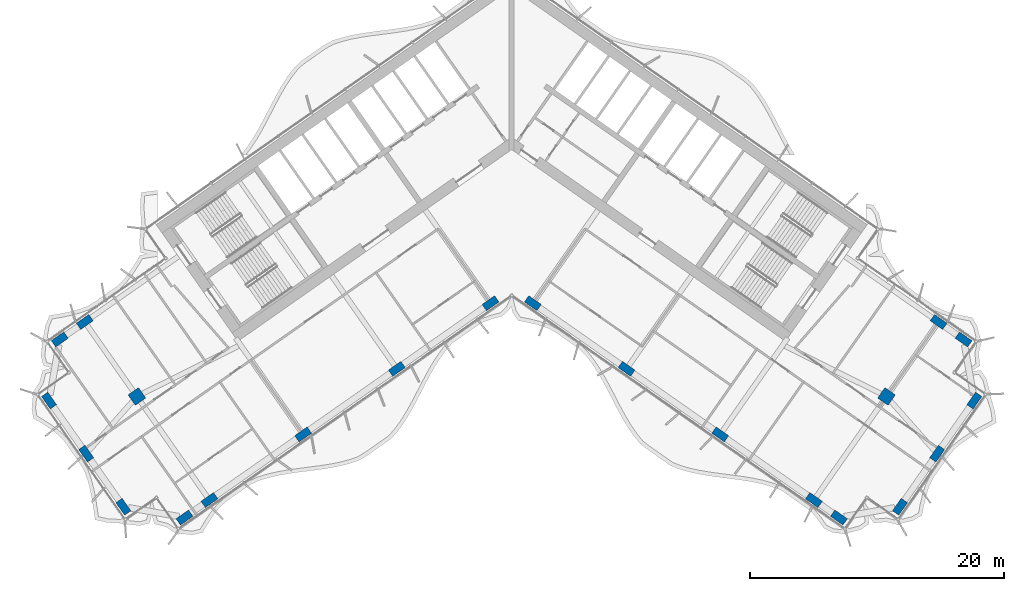
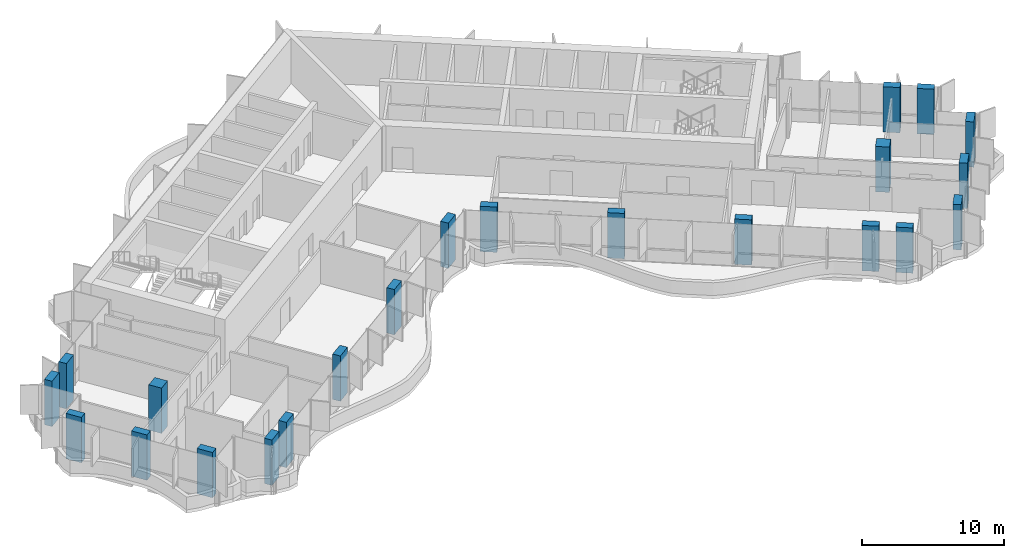
# One storey, part 1 of 23: 22 columns.
"""IFC4 building model written with IfcOpenShell, lengths in metres."""

from ifc_helpers import new_model, si_unit, direction, frame, origin, origin_2d, place, context, subcontext, project, spatial, rectangle, extrude, material, material_profile, profile_set, type_object, element, save


model = new_model("IFC4")

# Units and contexts
model_context = context("Model", 3, precision=1e-05, world=origin(), true_north=direction((0.0, 1.0)))
body_context = subcontext(model_context, "Body", "Model", "MODEL_VIEW")
ifc_project = project(units=[si_unit("LENGTHUNIT", "METRE"), si_unit("AREAUNIT", "SQUARE_METRE"), si_unit("VOLUMEUNIT", "CUBIC_METRE"), si_unit("PLANEANGLEUNIT", "RADIAN"), si_unit("MASSUNIT", "GRAM", prefix="KILO")], contexts=[model_context])

# Site, building, storey
site_placement = place(None, origin())
site = spatial("IfcSite", under=ifc_project, at=site_placement, CompositionType="ELEMENT")
building_placement = place(site_placement, origin())
building = spatial("IfcBuilding", under=site, at=building_placement, Name="Tel Ilan Convention Tower", CompositionType="ELEMENT")
storey_placement = place(building_placement, frame((0.0, 0.0, 174.89990234375)))
storey = spatial("IfcBuildingStorey", under=building, at=storey_placement, Name="L40", CompositionType="ELEMENT", Elevation=174.89990234375)

# Columns
ifc_material_1 = material(Name="Concrete C50/60", Category="concrete")
ifc_material_profile_1 = material_profile(ifc_material_1, rectangle(XDim=1.0, YDim=1.0, at=origin_2d()), Name="RC 1000x1000")
ifc_profile_set_1 = profile_set([ifc_material_profile_1], Name="Concrete C50/60")
column_type_1 = type_object("IfcColumnType", Name="Column RC 1000x1000 C50/60", PredefinedType="COLUMN", material=ifc_profile_set_1)
for number, where, z_axis, x_axis, name in (
    (1, (-29.489501953125, -20.648681640625, 0.0), (0.0, 0.0, 1.0), (-0.819152044289, -0.573576436351, 0.0), "L40 column W-M4"),
    (2, (29.489501953125, -20.648681640625, 0.0), (0.0, 0.0, 1.0), (0.819152044289, -0.573576436351, 0.0), "L40 column E-M4"),
):
    element("IfcColumn", number, at=place(storey_placement, frame(where, z_axis=z_axis, x_axis=x_axis)), inside=storey, type_object=column_type_1, Name=name, PredefinedType="COLUMN", context=body_context, shape_type="SweptSolid", body=[
        extrude(rectangle(XDim=1.0, YDim=1.0, at=origin_2d()), origin(), (0.0, 0.0, 1.0), 3.900146484375),
    ])
ifc_material_2 = material(Name="Concrete C50/60", Category="concrete")
ifc_material_profile_2 = material_profile(ifc_material_2, rectangle(XDim=1.199951171875, YDim=0.60009765625, at=origin_2d()), Name="RC 600x1200")
ifc_profile_set_2 = profile_set([ifc_material_profile_2], Name="Concrete C50/60")
column_type_2 = type_object("IfcColumnType", Name="Column RC 600x1200 C50/60", PredefinedType="COLUMN", material=ifc_profile_set_2)
for number, where, z_axis, x_axis, name in (
    (3, (-1.665283203125, -13.312744140625, 0.0), (0.0, 0.0, 1.0), (-0.819152044289, -0.573576436351, 0.0), "L40 column W-F1"),
    (4, (-9.03759765625, -18.474853515625, 0.0), (0.0, 0.0, 1.0), (-0.819152044289, -0.573576436351, 0.0), "L40 column W-F2"),
    (5, (-16.409912109375, -23.63720703125, 0.0), (0.0, 0.0, 1.0), (-0.819152044289, -0.573576436351, 0.0), "L40 column W-F3"),
    (6, (-23.782470703125, -28.79931640625, 0.0), (0.0, 0.0, 1.0), (-0.819152044289, -0.573576436351, 0.0), "L40 column W-F4"),
    (7, (-25.748291015625, -30.17578125, 0.0), (0.0, 0.0, 1.0), (-0.819152044289, -0.573576436351, 0.0), "L40 column W-FC"),
    (8, (-33.590576171875, -14.791748046875, 0.0), (0.0, 0.0, 1.0), (-0.819152044289, -0.573576436351, 0.0), "L40 column W-B4"),
    (9, (-35.556396484375, -16.16845703125, 0.0), (0.0, 0.0, 1.0), (-0.819152044289, -0.573576436351, 0.0), "L40 column W-BC"),
    (10, (-30.55322265625, -29.32861328125, 0.0), (0.0, 0.0, 1.0), (-0.573576436351, 0.819152044289, 0.0), "L40 column W-E1"),
    (11, (-33.478515625, -25.15087890625, 0.0), (0.0, 0.0, 1.0), (-0.573576436351, 0.819152044289, 0.0), "L40 column W-E2"),
    (12, (-36.40380859375, -20.973388671875, 0.0), (0.0, 0.0, 1.0), (-0.573576436351, 0.819152044289, 0.0), "L40 column W-E3"),
    (13, (1.665283203125, -13.312744140625, 0.0), (0.0, 0.0, 1.0), (0.819152044289, -0.573576436351, 0.0), "L40 column E-F1"),
    (14, (9.03759765625, -18.474853515625, 0.0), (0.0, 0.0, 1.0), (0.819152044289, -0.573576436351, 0.0), "L40 column E-F2"),
    (15, (16.409912109375, -23.63720703125, 0.0), (0.0, 0.0, 1.0), (0.819152044289, -0.573576436351, 0.0), "L40 column E-F3"),
    (16, (23.782470703125, -28.79931640625, 0.0), (0.0, 0.0, 1.0), (0.819152044289, -0.573576436351, 0.0), "L40 column E-F4"),
    (17, (25.748291015625, -30.17578125, 0.0), (0.0, 0.0, 1.0), (0.819152044289, -0.573576436351, 0.0), "L40 column E-FC"),
    (18, (33.590576171875, -14.791748046875, 0.0), (0.0, 0.0, 1.0), (0.819152044289, -0.573576436351, 0.0), "L40 column E-B4"),
    (19, (35.556396484375, -16.16845703125, 0.0), (0.0, 0.0, 1.0), (0.819152044289, -0.573576436351, 0.0), "L40 column E-BC"),
    (20, (30.55322265625, -29.32861328125, 0.0), (0.0, 0.0, 1.0), (0.573576436351, 0.819152044289, 0.0), "L40 column E-E1"),
    (21, (33.478515625, -25.15087890625, 0.0), (0.0, 0.0, 1.0), (0.573576436351, 0.819152044289, 0.0), "L40 column E-E2"),
    (22, (36.40380859375, -20.973388671875, 0.0), (0.0, 0.0, 1.0), (0.573576436351, 0.819152044289, 0.0), "L40 column E-E3"),
):
    element("IfcColumn", number, at=place(storey_placement, frame(where, z_axis=z_axis, x_axis=x_axis)), inside=storey, type_object=column_type_2, Name=name, PredefinedType="COLUMN", context=body_context, shape_type="SweptSolid", body=[
        extrude(rectangle(XDim=1.199951171875, YDim=0.60009765625, at=origin_2d()), origin(), (0.0, 0.0, 1.0), 3.900146484375),
    ])

save(model, "model.ifc")
